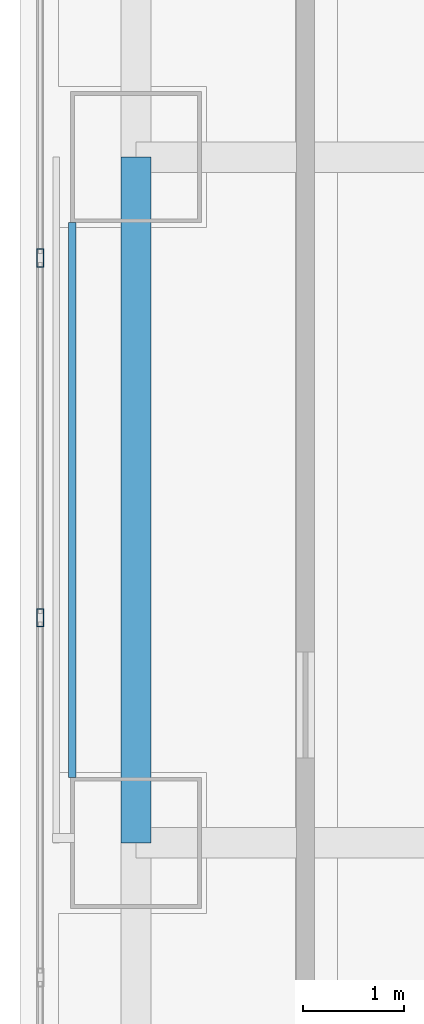
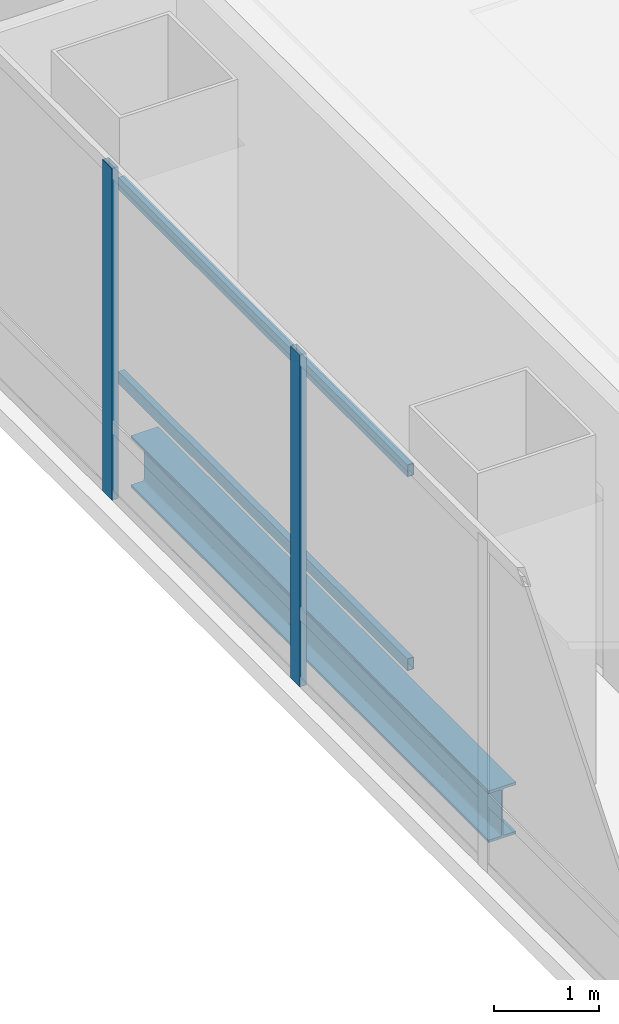
# One storey, part 10 of 42: 4 members, 1 beam, 1 element without a shape of its own.
"""IFC4 building model written with IfcOpenShell, lengths in metres."""

from ifc_helpers import new_model, si_unit, direction, frame, origin, origin_2d, place, context, subcontext, project, spatial, hollow_rectangle, i_section, extrude, material, material_profile, profile_set, type_object, element, aggregate, save


model = new_model("IFC4")

# Units and contexts
model_context = context("Model", 3, precision=1e-05, world=origin(), true_north=direction((0.0, 1.0)))
body_context = subcontext(model_context, "Body", "Model", "MODEL_VIEW")
ifc_project = project(units=[si_unit("LENGTHUNIT", "METRE"), si_unit("AREAUNIT", "SQUARE_METRE"), si_unit("VOLUMEUNIT", "CUBIC_METRE"), si_unit("PLANEANGLEUNIT", "RADIAN"), si_unit("MASSUNIT", "GRAM", prefix="KILO")], contexts=[model_context])

# Site, building, storey
site_placement = place(None, origin())
site = spatial("IfcSite", under=ifc_project, at=site_placement, CompositionType="ELEMENT")
building_placement = place(site_placement, origin())
building = spatial("IfcBuilding", under=site, at=building_placement, Name="Punatoya Terracotta Tower", CompositionType="ELEMENT")
storey_placement = place(building_placement, frame((0.0, 0.0, 263.550048828125)))
storey = spatial("IfcBuildingStorey", under=building, at=storey_placement, Name="L62", CompositionType="ELEMENT", Elevation=263.550048828125)

# Beam
ifc_material_1 = material(Name="Steel S355", Category="steel")
ifc_material_profile_1 = material_profile(ifc_material_1, i_section(OverallWidth=0.300048828125, OverallDepth=0.60009765625, WebThickness=0.015380859375, FlangeThickness=0.030029296875, FilletRadius=0.01806640625, at=origin_2d()))
ifc_profile_set_1 = profile_set([ifc_material_profile_1], Name="Steel S355")
beam_type = type_object("IfcBeamType", Name="BM-PRI-600", PredefinedType="BEAM", material=ifc_profile_set_1)
beam_placement = place(storey_placement, frame((-19.10009765625, -3.39990234375, -0.5), z_axis=(0.0, 1.0, 0.0), x_axis=(-1.0, 0.0, 0.0)))
element("IfcBeam", 1, at=beam_placement, inside=storey, type_object=beam_type, Name="BM-L62-RG-W2", PredefinedType="BEAM", context=body_context, shape_type="SweptSolid", body=[
    extrude(i_section(OverallWidth=0.300048828125, OverallDepth=0.60009765625, WebThickness=0.015380859375, FlangeThickness=0.030029296875, FilletRadius=0.01806640625, at=origin_2d()), origin(), (0.0, 0.0, 1.0), 6.7998046875),
])

# Curtain wall, members
ifc_material_2 = material(Name="Aluminium 6063-T6 + Double Low-E Glass", Category="aluminium")
curtain_wall_type = type_object("IfcCurtainWallType", Name="CW-M3", PredefinedType="NOTDEFINED", material=ifc_material_2)
curtain_wall_placement = place(storey_placement, origin())
curtain_wall = element("IfcCurtainWall", 2, at=curtain_wall_placement, inside=storey, type_object=curtain_wall_type, Name="L62 Curtain Wall CW-L62-W13-1", PredefinedType="NOTDEFINED")
ifc_material_3 = material(Name="Aluminium 6063-T6", Category="aluminium")
ifc_material_profile_2 = material_profile(ifc_material_3, hollow_rectangle(XDim=0.070068359375, YDim=0.179931640625, WallThickness=0.00390625, at=origin_2d()))
ifc_profile_set_2 = profile_set([ifc_material_profile_2], Name="Aluminium 6063-T6")
member_type_1 = type_object("IfcMemberType", Name="CW-MUL-M3", PredefinedType="MULLION", material=ifc_profile_set_2)
member_1_placement = place(storey_placement, frame((-20.050048828125, 2.39990234375, 0.0), z_axis=(0.0, 0.0, 1.0), x_axis=(1.0, 0.0, 0.0)))
member_1 = element("IfcMember", 3, at=member_1_placement, type_object=member_type_1, Name="CW-L62-W13-1 Mullion 05", PredefinedType="MULLION", context=body_context, shape_type="SweptSolid", body=[
    extrude(hollow_rectangle(XDim=0.070068359375, YDim=0.179931640625, WallThickness=0.00390625, at=origin_2d()), origin(), (0.0, 0.0, 1.0), 3.849853515625),
])
member_2_placement = place(storey_placement, frame((-20.050048828125, -1.16748046875, 0.0), z_axis=(0.0, 0.0, 1.0), x_axis=(1.0, 0.0, 0.0)))
member_2 = element("IfcMember", 4, at=member_2_placement, type_object=member_type_1, Name="CW-L62-W13-1 Mullion 06", PredefinedType="MULLION", context=body_context, shape_type="SweptSolid", body=[
    extrude(hollow_rectangle(XDim=0.070068359375, YDim=0.179931640625, WallThickness=0.00390625, at=origin_2d()), origin(), (0.0, 0.0, 1.0), 3.849853515625),
])
aggregate(curtain_wall, [member_1, member_2])

# Members
ifc_material_profile_3 = material_profile(ifc_material_1, hollow_rectangle(XDim=0.070068359375, YDim=0.139892578125, WallThickness=0.006103515625, at=origin_2d()))
ifc_profile_set_3 = profile_set([ifc_material_profile_3], Name="Steel S355")
member_type_2 = type_object("IfcMemberType", Name="MEM-BAG-RAIL", PredefinedType="USERDEFINED", material=ifc_profile_set_3)
for number, where, z_axis, x_axis, name in (
    (5, (-19.73193359375, -2.75048828125, 1.050048828125), (0.0, 1.0, 0.0), (-1.0, 0.0, 0.0), "L62 Terracotta Baguette Carrier Rail BAG-L62-W-R1"),
    (6, (-19.73193359375, -2.75048828125, 3.300048828125), (0.0, 1.0, 0.0), (-1.0, 0.0, 0.0), "L62 Terracotta Baguette Carrier Rail BAG-L62-W-R2"),
):
    element("IfcMember", number, at=place(storey_placement, frame(where, z_axis=z_axis, x_axis=x_axis)), inside=storey, type_object=member_type_2, Name=name, ObjectType="BAGUETTE", PredefinedType="USERDEFINED", context=body_context, shape_type="SweptSolid", body=[
        extrude(hollow_rectangle(XDim=0.070068359375, YDim=0.139892578125, WallThickness=0.006103515625, at=origin_2d()), origin(), (0.0, 0.0, 1.0), 5.5009765625),
    ])

save(model, "model.ifc")
